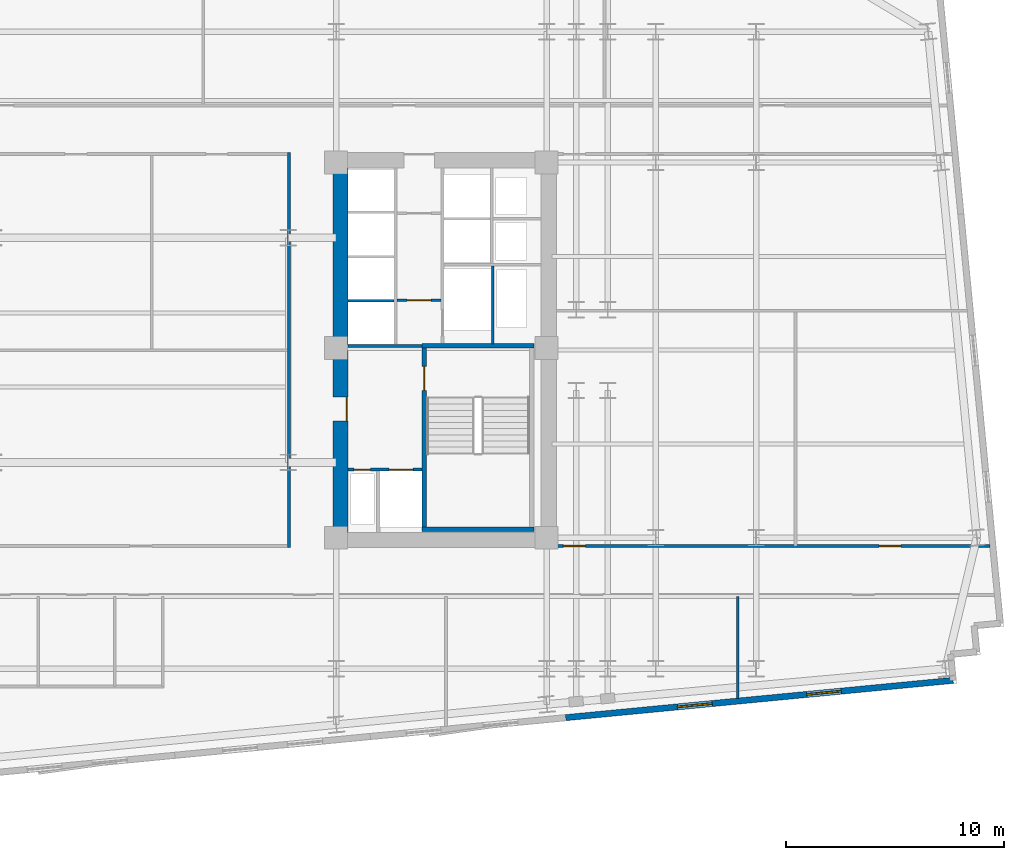
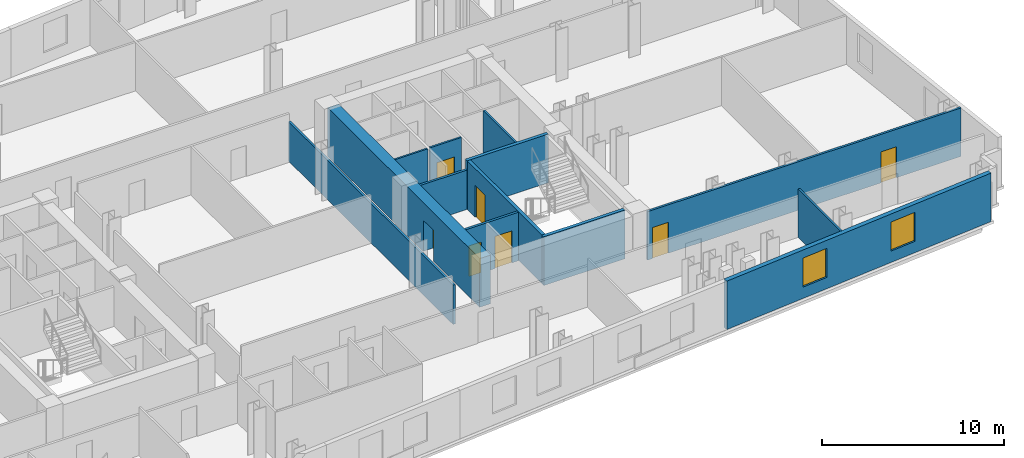
# One storey, part 6 of 10: 13 walls, 7 doors, 2 windows, 9 openings.
"""IFC4 building model written with IfcOpenShell, lengths in metres."""

import ifcopenshell
import ifcopenshell.guid

model = None  # the IFC model being written
_history = None  # IfcOwnerHistory: only IFC2X3 demands one
_inside = {}  # id of a spatial element -> (the spatial element, [elements in it])
_under = {}  # id of a project, library or spatial element -> (it, [spatial elements below it])
_declared = {}  # id of a project -> (the project, [libraries it declares])
_typed = {}  # id of a type object -> (the type object, [elements of that type])
_made_of = {}  # id of a material, layer set ... -> (it, [elements and type objects made of it])


def new_model(schema):
    """Start an empty IFC model of exactly this schema.

    Asked for "IFC4X3", IfcOpenShell would pick the latest addendum, in which some entities
    have other attributes; the version numbers below select the first issue.
    IFC2X3 requires an IfcOwnerHistory on every rooted entity: one is made here for all.
    """
    global model, _history
    if schema == "IFC4X3":
        model = ifcopenshell.file(schema_version=(4, 3, 0, 0))
    else:
        model = ifcopenshell.file(schema=schema)
    _inside.clear()
    _under.clear()
    _declared.clear()
    _typed.clear()
    _made_of.clear()
    _history = None
    if model.schema == "IFC2X3":
        org = make("IfcOrganization", Name="unknown")
        user = make(
            "IfcPersonAndOrganization",
            ThePerson=make("IfcPerson", FamilyName="unknown"),
            TheOrganization=org,
        )
        app = make(
            "IfcApplication",
            ApplicationDeveloper=org,
            Version="unknown",
            ApplicationFullName="unknown",
            ApplicationIdentifier="unknown",
        )
        _history = make(
            "IfcOwnerHistory",
            OwningUser=user,
            OwningApplication=app,
            ChangeAction="ADDED",
            CreationDate=0,
        )
    return model


def make(cls, **values):
    """One entity of the class cls with the attributes given. An attribute that is None is left unset."""
    return model.create_entity(
        cls, **{name: value for name, value in values.items() if value is not None}
    )


def rooted(cls, **values):
    """An entity with a GlobalId (a new one), such as an element, a storey or a relation."""
    return make(cls, GlobalId=ifcopenshell.guid.new(), OwnerHistory=_history, **values)


def si_unit(unit_type, name, prefix=None):
    """IfcSIUnit, for example si_unit("LENGTHUNIT", "METRE", prefix="MILLI")."""
    return make("IfcSIUnit", UnitType=unit_type, Prefix=prefix, Name=name)


def assignment(units):
    """IfcUnitAssignment: the units of a project."""
    return None if units is None else make("IfcUnitAssignment", Units=units)


def point(xyz):
    """IfcCartesianPoint."""
    return None if xyz is None else make("IfcCartesianPoint", Coordinates=xyz)


def direction(xyz):
    """IfcDirection."""
    return None if xyz is None else make("IfcDirection", DirectionRatios=xyz)


def frame(location, z_axis=None, x_axis=None):
    """IfcAxis2Placement3D, a coordinate frame: its origin and axes. An axis left out is left unset."""
    return make(
        "IfcAxis2Placement3D",
        Location=point(location),
        Axis=direction(z_axis),
        RefDirection=direction(x_axis),
    )


def frame_2d(location, x_axis=None):
    """IfcAxis2Placement2D, a coordinate frame in the plane: its origin and x axis."""
    return make(
        "IfcAxis2Placement2D", Location=point(location), RefDirection=direction(x_axis)
    )


def origin():
    """The frame at (0, 0, 0) with its axes left unset."""
    return frame((0.0, 0.0, 0.0))


def place(relative_to, where):
    """IfcLocalPlacement: puts the frame where relative to a parent placement (None: the world)."""
    return make(
        "IfcLocalPlacement", PlacementRelTo=relative_to, RelativePlacement=where
    )


def context(
    kind, dimensions, precision=None, world=None, true_north=None, identifier=None
):
    """IfcGeometricRepresentationContext, for example the 3D "Model" context."""
    return make(
        "IfcGeometricRepresentationContext",
        ContextIdentifier=identifier,
        ContextType=kind,
        CoordinateSpaceDimension=dimensions,
        Precision=precision,
        WorldCoordinateSystem=world,
        TrueNorth=true_north,
    )


def subcontext(parent, identifier, kind, view, scale=None):
    """IfcGeometricRepresentationSubContext, for example "Body" below "Model"."""
    return make(
        "IfcGeometricRepresentationSubContext",
        ContextIdentifier=identifier,
        ContextType=kind,
        ParentContext=parent,
        TargetScale=scale,
        TargetView=view,
    )


def project(units=None, contexts=None):
    """IfcProject with its units and contexts."""
    return rooted(
        "IfcProject",
        Name="project",
        RepresentationContexts=contexts,
        UnitsInContext=assignment(units),
    )


def spatial(cls, under=None, at=None, **own):
    """A site, building, storey or space (cls), placed at a placement, below another one or the project."""
    s = rooted(cls, ObjectPlacement=at, **own)
    if under is not None:
        _under.setdefault(under.id(), (under, []))[1].append(s)
    return s


def profile(cls, at=None, kind="AREA", **sizes):
    """A parametric profile (cls). Its sizes go by their IFC names, for example OverallWidth=200.0."""
    return make(cls, ProfileType=kind, Position=at, **sizes)


def rectangle(**sizes):
    """IfcRectangleProfileDef."""
    return profile("IfcRectangleProfileDef", **sizes)


def extrude(swept, where, along, depth):
    """IfcExtrudedAreaSolid: the profile swept, set in the frame where, extruded along a direction by depth."""
    return make(
        "IfcExtrudedAreaSolid",
        SweptArea=swept,
        Position=where,
        ExtrudedDirection=direction(along),
        Depth=depth,
    )


def shape(context_of_items, identifier, shape_type, items):
    """IfcShapeRepresentation: the items that make up one representation, for example the "Body"."""
    return make(
        "IfcShapeRepresentation",
        ContextOfItems=context_of_items,
        RepresentationIdentifier=identifier,
        RepresentationType=shape_type,
        Items=items,
    )


def material(Name=None, Category=None):
    """IfcMaterial."""
    return make("IfcMaterial", Name=Name, Category=Category)


def layer(
    of_material, thickness, ventilated=None, Name=None, Category=None, Priority=None
):
    """IfcMaterialLayer: one layer of a wall or slab, of a material (None: an air gap)."""
    return make(
        "IfcMaterialLayer",
        Material=of_material,
        LayerThickness=thickness,
        IsVentilated=ventilated,
        Name=Name,
        Category=Category,
        Priority=Priority,
    )


def layer_set(layers, Name=None):
    """IfcMaterialLayerSet."""
    return make("IfcMaterialLayerSet", MaterialLayers=layers, LayerSetName=Name)


def made_of(thing, what):
    """Note that an element or type object is made of a material, layer set ...; save() writes the relation."""
    if what is not None:
        _made_of.setdefault(what.id(), (what, []))[1].append(thing)
    return thing


def type_object(cls, material=None, **own):
    """A type object (cls), such as IfcWallType, which elements share."""
    return made_of(rooted(cls, **own), material)


def element(
    cls,
    number,
    at=None,
    inside=None,
    cuts=None,
    type_object=None,
    material=None,
    context=None,
    identifier="Body",
    shape_type=None,
    held_by="IfcProductDefinitionShape",
    body=None,
    shapes=None,
    **own,
):
    """One element of the class cls, such as IfcWall. Its Tag is "e" and its number.

    at: its placement. inside: the storey or other place that contains it. cuts: it is an
    opening in that element (IfcRelVoidsElement). A single representation is given by context,
    identifier, shape_type and body (its items); several are given by shapes. held_by: the class
    of the entity that holds the representations. save() writes the other relations.
    """
    e = rooted(cls, Tag="e%d" % number, ObjectPlacement=at, **own)
    if body is not None:
        shapes = [shape(context, identifier, shape_type, body)]
    if shapes is not None:
        e.Representation = make(held_by, Representations=shapes)
    if inside is not None:
        _inside.setdefault(inside.id(), (inside, []))[1].append(e)
    if cuts is not None:
        rooted(
            "IfcRelVoidsElement", RelatingBuildingElement=cuts, RelatedOpeningElement=e
        )
    if type_object is not None:
        _typed.setdefault(type_object.id(), (type_object, []))[1].append(e)
    return made_of(e, material)


def fill(opening, filler):
    """IfcRelFillsElement: the door or window that sits in an opening."""
    return rooted(
        "IfcRelFillsElement",
        RelatingOpeningElement=opening,
        RelatedBuildingElement=filler,
    )


def aggregate(whole, parts):
    """IfcRelAggregates: a whole, such as a stair, and the parts it consists of."""
    return rooted("IfcRelAggregates", RelatingObject=whole, RelatedObjects=parts)


def save(model, path):
    """Write the relations noted so far, then the file.

    IfcRelAggregates (storeys below a building ...), IfcRelContainedInSpatialStructure (elements
    in a storey), IfcRelDefinesByType, IfcRelAssociatesMaterial and IfcRelDeclares: one each for
    every whole, place, type object, material and project.
    """
    for whole, parts in _under.values():
        aggregate(whole, parts)
    for where, things in _inside.values():
        rooted(
            "IfcRelContainedInSpatialStructure",
            RelatedElements=things,
            RelatingStructure=where,
        )
    for kind, things in _typed.values():
        rooted("IfcRelDefinesByType", RelatedObjects=things, RelatingType=kind)
    for what, things in _made_of.values():
        rooted("IfcRelAssociatesMaterial", RelatedObjects=things, RelatingMaterial=what)
    for by, libraries in _declared.values():
        rooted("IfcRelDeclares", RelatingContext=by, RelatedDefinitions=libraries)
    model.write(path)


model = new_model("IFC4")

# Units and contexts
model_context = context("Model", 3, precision=1e-05, world=origin(), true_north=direction((0.0, 1.0)))
body_context = subcontext(model_context, "Body", "Model", "MODEL_VIEW")
ifc_project = project(units=[si_unit("LENGTHUNIT", "METRE"), si_unit("AREAUNIT", "SQUARE_METRE"), si_unit("VOLUMEUNIT", "CUBIC_METRE"), si_unit("PLANEANGLEUNIT", "RADIAN"), si_unit("MASSUNIT", "GRAM", prefix="KILO")], contexts=[model_context])

# Site, building, storey
site_placement = place(None, origin())
site = spatial("IfcSite", under=ifc_project, at=site_placement, CompositionType="ELEMENT")
building_placement = place(site_placement, origin())
building = spatial("IfcBuilding", under=site, at=building_placement, Name="Velakula Bourse", CompositionType="ELEMENT")
storey_placement = place(building_placement, frame((0.0, 0.0, 94.89990234375)))
storey = spatial("IfcBuildingStorey", under=building, at=storey_placement, Name="L25", CompositionType="ELEMENT", Elevation=94.89990234375)

# Wall, opening, door
ifc_material_1 = material(Name="Concrete M50 (fck 50 MPa)", Category="concrete")
ifc_layer_1 = layer(ifc_material_1, 0.2099609375, Name="Concrete M50 (fck 50 MPa)", Category="concrete")
ifc_layer_set_1 = layer_set([ifc_layer_1], Name="Concrete M50 (fck 50 MPa)")
wall_type_1 = type_object("IfcWallType", Name="WL-CORE-210", PredefinedType="SHEAR", material=ifc_layer_set_1)
wall_1_placement = place(storey_placement, frame((12.9951171875, -8.10009765625, 0.0), z_axis=(0.0, 0.0, 1.0), x_axis=(0.0, 1.0, 0.0)))
wall_1 = element("IfcWall", 1, at=wall_1_placement, inside=storey, type_object=wall_type_1, Name="L25 Core E Stairwell Shear Wall IN", PredefinedType="SHEAR", context=body_context, shape_type="SweptSolid", body=[
    extrude(rectangle(XDim=8.2001953125, YDim=0.2099609375, at=frame_2d((4.10009765625, 0.0))), origin(), (0.0, 0.0, 1.0), 3.27001953125),
])
opening_1_placement = place(wall_1_placement, frame((6.25, 0.0, 0.0)))
opening_1 = element("IfcOpeningElement", 2, at=opening_1_placement, cuts=wall_1, Name="Opening D-STE1", PredefinedType="OPENING", context=body_context, shape_type="SweptSolid", body=[
    extrude(rectangle(XDim=1.10009765625, YDim=2.14990234375, at=frame_2d((0.550048828125, 1.074951171875))), frame((0.0, 0.114990234375, 0.0), z_axis=(0.0, -1.0, 0.0), x_axis=(1.0, 0.0, 0.0)), (0.0, 0.0, 1.0), 0.22998046875),
])
ifc_material_2 = material(Name="Galvanised painted hollow steel fire door", Category="steel")
door_type_1 = type_object("IfcDoorType", Name="DR-FD120-1100x2150", OperationType="NOTDEFINED", PredefinedType="DOOR", material=ifc_material_2)
door_1_placement = place(opening_1_placement, origin())
door_1 = element("IfcDoor", 3, at=door_1_placement, inside=storey, type_object=door_type_1, Name="L25 Stair ST-E1 Fire Door", OperationType="SINGLE_SWING_RIGHT", OverallHeight=2.14990234375, OverallWidth=1.10009765625, PredefinedType="DOOR", context=body_context, shape_type="SweptSolid", body=[
    extrude(rectangle(XDim=1.10009765625, YDim=2.14990234375, at=frame_2d((0.550048828125, 1.074951171875))), frame((0.0, 0.02490234375, 0.0), z_axis=(0.0, -1.0, 0.0), x_axis=(1.0, 0.0, 0.0)), (0.0, 0.0, 1.0), 0.050048828125),
])
fill(opening_1, door_1)

# Walls
for number, where, z_axis, x_axis, name in (
    (4, (12.889892578125, -8.205078125, 0.0), (0.0, 0.0, 1.0), (1.0, 0.0, 0.0), "L25 Core E Stairwell Shear Wall S"),
    (5, (18.030029296875, 0.205078125, 0.0), (0.0, 0.0, 1.0), (-1.0, 0.0, 0.0), "L25 Core E Stairwell Shear Wall N"),
):
    element("IfcWall", number, at=place(storey_placement, frame(where, z_axis=z_axis, x_axis=x_axis)), inside=storey, type_object=wall_type_1, Name=name, PredefinedType="SHEAR", context=body_context, shape_type="SweptSolid", body=[
        extrude(rectangle(XDim=5.14013671875, YDim=0.2099609375, at=frame_2d((2.570068359375, 0.0))), origin(), (0.0, 0.0, 1.0), 3.27001953125),
    ])

# Wall, opening, door
ifc_material_3 = material(Name="Concrete M70 (fck 70 MPa)", Category="concrete")
ifc_layer_2 = layer(ifc_material_3, 0.699951171875, Name="Concrete M70 (fck 70 MPa)", Category="concrete")
ifc_layer_set_2 = layer_set([ifc_layer_2], Name="Concrete M70 (fck 70 MPa)")
wall_type_2 = type_object("IfcWallType", Name="WL-CORE-700", PredefinedType="SHEAR", material=ifc_layer_set_2)
wall_2_placement = place(storey_placement, frame((9.14990234375, -8.35009765625, 0.0), z_axis=(0.0, 0.0, 1.0), x_axis=(0.0, 1.0, 0.0)))
wall_2 = element("IfcWall", 6, at=wall_2_placement, inside=storey, type_object=wall_type_2, Name="L25 Core E Shear Wall W", PredefinedType="SHEAR", context=body_context, shape_type="SweptSolid", body=[
    extrude(rectangle(XDim=16.7001953125, YDim=0.699951171875, at=frame_2d((8.35009765625, 0.0))), origin(), (0.0, 0.0, 1.0), 3.27001953125),
])
opening_2_placement = place(wall_2_placement, frame((5.10009765625, 0.0, 0.0)))
opening_2 = element("IfcOpeningElement", 7, at=opening_2_placement, cuts=wall_2, Name="Opening D-FLE", PredefinedType="OPENING", context=body_context, shape_type="SweptSolid", body=[
    extrude(rectangle(XDim=1.10009765625, YDim=2.080078125, at=frame_2d((0.550048828125, 1.0400390625))), frame((0.0, 0.35986328125, 0.0), z_axis=(0.0, -1.0, 0.0), x_axis=(1.0, 0.0, 0.0)), (0.0, 0.0, 1.0), 0.719970703125),
])
door_type_2 = type_object("IfcDoorType", Name="DR-FD120-1100", OperationType="NOTDEFINED", PredefinedType="DOOR", material=ifc_material_2)
door_2_placement = place(opening_2_placement, origin())
door_2 = element("IfcDoor", 8, at=door_2_placement, inside=storey, type_object=door_type_2, Name="L25 Firefighting Lobby E Corridor Fire Door", OperationType="SINGLE_SWING_RIGHT", OverallHeight=2.080078125, OverallWidth=1.10009765625, PredefinedType="DOOR", context=body_context, shape_type="SweptSolid", body=[
    extrude(rectangle(XDim=1.10009765625, YDim=2.080078125, at=frame_2d((0.550048828125, 1.0400390625))), frame((0.0, -0.2548828125, 0.0), z_axis=(0.0, -1.0, 0.0), x_axis=(1.0, 0.0, 0.0)), (0.0, 0.0, 1.0), 0.050048828125),
])
fill(opening_2, door_2)

# Wall, openings, windows
ifc_material_4 = material(Name="Red kilned clay facing brick masonry", Category="masonry")
ifc_layer_3 = layer(ifc_material_4, 0.280029296875, Name="Red kilned clay facing brick masonry", Category="masonry")
ifc_layer_set_3 = layer_set([ifc_layer_3], Name="Red kilned clay facing brick masonry")
wall_type_3 = type_object("IfcWallType", Name="WL-EXT-BRK-280", PredefinedType="STANDARD", material=ifc_layer_set_3)
wall_3_placement = place(storey_placement, frame((37.2314453125, -15.138427734375, 0.0), z_axis=(0.0, 0.0, 1.0), x_axis=(-0.995395780835, -0.095850088663, 0.0)))
wall_3 = element("IfcWall", 9, at=wall_3_placement, inside=storey, type_object=wall_type_3, Name="L25 S Brick Spandrel Wall B5", PredefinedType="STANDARD", context=body_context, shape_type="SweptSolid", body=[
    extrude(rectangle(XDim=17.83984375, YDim=0.280029296875, at=frame_2d((8.919921875, 0.0))), origin(), (0.0, 0.0, 1.0), 3.25),
])
opening_3_placement = place(wall_3_placement, frame((5.146728515625, 0.0, 0.760009765625)))
opening_3 = element("IfcOpeningElement", 10, at=opening_3_placement, cuts=wall_3, Name="Opening W-02", PredefinedType="OPENING", context=body_context, shape_type="SweptSolid", body=[
    extrude(rectangle(XDim=1.60009765625, YDim=1.949951171875, at=frame_2d((0.800048828125, 0.97509765625))), frame((0.0, 0.14990234375, 0.0), z_axis=(0.0, -1.0, 0.0), x_axis=(1.0, 0.0, 0.0)), (0.0, 0.0, 1.0), 0.300048828125),
])
opening_4_placement = place(wall_3_placement, frame((11.09326171875, 0.0, 0.760009765625)))
opening_4 = element("IfcOpeningElement", 11, at=opening_4_placement, cuts=wall_3, Name="Opening W-02", PredefinedType="OPENING", context=body_context, shape_type="SweptSolid", body=[
    extrude(rectangle(XDim=1.60009765625, YDim=1.949951171875, at=frame_2d((0.800048828125, 0.97509765625))), frame((0.0, 0.14990234375, 0.0), z_axis=(0.0, -1.0, 0.0), x_axis=(1.0, 0.0, 0.0)), (0.0, 0.0, 1.0), 0.300048828125),
])
ifc_material_5 = material(Name="Double-glazed solar-control Low-E glass", Category="glass")
window_type = type_object("IfcWindowType", Name="WIN-TWR-1600x2100", PartitioningType="SINGLE_PANEL", PredefinedType="WINDOW", material=ifc_material_5)
window_1_placement = place(opening_3_placement, origin())
window_1 = element("IfcWindow", 12, at=window_1_placement, inside=storey, type_object=window_type, Name="L25 Deep-Set Recessed Window 1", OverallHeight=1.949951171875, OverallWidth=1.60009765625, PartitioningType="SINGLE_PANEL", PredefinedType="WINDOW", context=body_context, shape_type="SweptSolid", body=[
    extrude(rectangle(XDim=1.60009765625, YDim=1.949951171875, at=frame_2d((0.800048828125, 0.97509765625))), frame((0.0, 0.030029296875, 0.0), z_axis=(0.0, -1.0, 0.0), x_axis=(1.0, 0.0, 0.0)), (0.0, 0.0, 1.0), 0.06005859375),
])
fill(opening_3, window_1)
window_2_placement = place(opening_4_placement, origin())
window_2 = element("IfcWindow", 13, at=window_2_placement, inside=storey, type_object=window_type, Name="L25 Deep-Set Recessed Window 2", OverallHeight=1.949951171875, OverallWidth=1.60009765625, PartitioningType="SINGLE_PANEL", PredefinedType="WINDOW", context=body_context, shape_type="SweptSolid", body=[
    extrude(rectangle(XDim=1.60009765625, YDim=1.949951171875, at=frame_2d((0.800048828125, 0.97509765625))), frame((0.0, 0.030029296875, 0.0), z_axis=(0.0, -1.0, 0.0), x_axis=(1.0, 0.0, 0.0)), (0.0, 0.0, 1.0), 0.06005859375),
])
fill(opening_4, window_2)

# Wall, opening, door
ifc_material_6 = material(Name="Fire-rated double-layer gypsum drywall partition", Category="gypsum")
ifc_layer_4 = layer(ifc_material_6, 0.1201171875, Name="Fire-rated double-layer gypsum drywall partition", Category="gypsum")
ifc_layer_set_4 = layer_set([ifc_layer_4], Name="Fire-rated double-layer gypsum drywall partition")
wall_type_4 = type_object("IfcWallType", Name="WL-PART-120", PredefinedType="STANDARD", material=ifc_layer_set_4)
wall_4_placement = place(storey_placement, frame((11.75, 2.280029296875, 0.0), z_axis=(0.0, 0.0, 1.0), x_axis=(1.0, 0.0, 0.0)))
wall_4 = element("IfcWall", 14, at=wall_4_placement, inside=storey, type_object=wall_type_4, Name="L25 Interior Partition WL-CRE-L25-LL-K3A", PredefinedType="STANDARD", context=body_context, shape_type="SweptSolid", body=[
    extrude(rectangle(XDim=2.0, YDim=0.1201171875, at=frame_2d((1.0, 0.0))), origin(), (0.0, 0.0, 1.0), 3.25),
])
opening_5_placement = place(wall_4_placement, frame((0.449951171875, 0.0, 0.0)))
opening_5 = element("IfcOpeningElement", 15, at=opening_5_placement, cuts=wall_4, Name="Opening D-LK3", PredefinedType="OPENING", context=body_context, shape_type="SweptSolid", body=[
    extrude(rectangle(XDim=1.10009765625, YDim=2.10009765625, at=frame_2d((0.550048828125, 1.050048828125))), frame((0.0, 0.070068359375, 0.0), z_axis=(0.0, -1.0, 0.0), x_axis=(1.0, 0.0, 0.0)), (0.0, 0.0, 1.0), 0.14013671875),
])
ifc_material_7 = material(Name="Fire-rated hardwood flush architectural door", Category="wood")
door_type_3 = type_object("IfcDoorType", Name="DR-FD60-1100x2100", OperationType="NOTDEFINED", PredefinedType="DOOR", material=ifc_material_7)
door_3_placement = place(opening_5_placement, origin())
door_3 = element("IfcDoor", 16, at=door_3_placement, inside=storey, type_object=door_type_3, Name="L25 Core E Lift Lobby Vestibule Door A", OperationType="SINGLE_SWING_RIGHT", OverallHeight=2.10009765625, OverallWidth=1.10009765625, PredefinedType="DOOR", context=body_context, shape_type="SweptSolid", body=[
    extrude(rectangle(XDim=1.10009765625, YDim=2.10009765625, at=frame_2d((0.550048828125, 1.050048828125))), frame((0.0, 0.02490234375, 0.0), z_axis=(0.0, -1.0, 0.0), x_axis=(1.0, 0.0, 0.0)), (0.0, 0.0, 1.0), 0.050048828125),
])
fill(opening_5, door_3)

# Walls
wall_5_placement = place(storey_placement, frame((9.5, 2.2548828125, 0.0), z_axis=(0.0, 0.0, 1.0), x_axis=(1.0, 0.0, 0.0)))
element("IfcWall", 17, at=wall_5_placement, inside=storey, type_object=wall_type_4, Name="L25 Interior Partition WL-CRE-L25-BDIV-0", PredefinedType="STANDARD", context=body_context, shape_type="SweptSolid", body=[
    extrude(rectangle(XDim=2.10009765625, YDim=0.110107421875, at=frame_2d((1.050048828125, 0.0))), origin(), (0.0, 0.0, 1.0), 3.25),
])
wall_6_placement = place(storey_placement, frame((16.125, 0.27001953125, 0.0), z_axis=(0.0, 0.0, 1.0), x_axis=(0.0, 1.0, 0.0)))
element("IfcWall", 18, at=wall_6_placement, inside=storey, type_object=wall_type_4, Name="L25 Interior Partition WL-CRE-L25-SVL-E", PredefinedType="STANDARD", context=body_context, shape_type="SweptSolid", body=[
    extrude(rectangle(XDim=3.590087890625, YDim=0.1201171875, at=frame_2d((1.794921875, 0.0))), origin(), (0.0, 0.0, 1.0), 3.25),
])
wall_7_placement = place(storey_placement, frame((27.35400390625, -15.968994140625, 0.0), z_axis=(0.0, 0.0, 1.0), x_axis=(0.0, 1.0, 0.0)))
element("IfcWall", 19, at=wall_7_placement, inside=storey, type_object=wall_type_4, Name="L25 Interior Partition WL-INT-L25-SR-D8", PredefinedType="STANDARD", context=body_context, shape_type="SweptSolid", body=[
    extrude(rectangle(XDim=4.678955078125, YDim=0.1201171875, at=frame_2d((2.33935546875, 0.0))), origin(), (0.0, 0.0, 1.0), 3.25),
])

# Wall, openings, doors
ifc_layer_5 = layer(ifc_material_6, 0.139892578125, Name="Fire-rated double-layer gypsum drywall partition", Category="gypsum")
ifc_layer_set_5 = layer_set([ifc_layer_5], Name="Fire-rated double-layer gypsum drywall partition")
wall_type_5 = type_object("IfcWallType", Name="WL-PART-140", PredefinedType="STANDARD", material=ifc_layer_set_5)
wall_8_placement = place(storey_placement, frame((19.050048828125, -8.97998046875, 0.0), z_axis=(0.0, 0.0, 1.0), x_axis=(1.0, 0.0, 0.0)))
wall_8 = element("IfcWall", 20, at=wall_8_placement, inside=storey, type_object=wall_type_5, Name="L25 Interior Partition WL-INT-L25-E-SC", PredefinedType="STANDARD", context=body_context, shape_type="SweptSolid", body=[
    extrude(rectangle(XDim=19.87890625, YDim=0.139892578125, at=frame_2d((9.939453125, 0.0))), origin(), (0.0, 0.0, 1.0), 3.25),
])
opening_6_placement = place(wall_8_placement, frame((0.320068359375, 0.0, 0.0)))
opening_6 = element("IfcOpeningElement", 21, at=opening_6_placement, cuts=wall_8, Name="Opening D-OF1", PredefinedType="OPENING", context=body_context, shape_type="SweptSolid", body=[
    extrude(rectangle(XDim=1.0, YDim=2.080078125, at=frame_2d((0.5, 1.0400390625))), frame((0.0, 0.079833984375, 0.0), z_axis=(0.0, -1.0, 0.0), x_axis=(1.0, 0.0, 0.0)), (0.0, 0.0, 1.0), 0.159912109375),
])
opening_7_placement = place(wall_8_placement, frame((14.7890625, 0.0, 0.0)))
opening_7 = element("IfcOpeningElement", 22, at=opening_7_placement, cuts=wall_8, Name="Opening D-OF1", PredefinedType="OPENING", context=body_context, shape_type="SweptSolid", body=[
    extrude(rectangle(XDim=1.0, YDim=2.080078125, at=frame_2d((0.5, 1.0400390625))), frame((0.0, 0.079833984375, 0.0), z_axis=(0.0, -1.0, 0.0), x_axis=(1.0, 0.0, 0.0)), (0.0, 0.0, 1.0), 0.159912109375),
])
door_type_4 = type_object("IfcDoorType", Name="DR-OFF-1000", OperationType="NOTDEFINED", PredefinedType="DOOR", material=ifc_material_7)
door_4_placement = place(opening_6_placement, origin())
door_4 = element("IfcDoor", 23, at=door_4_placement, inside=storey, type_object=door_type_4, Name="L25 Green-Bond Carbon Exchange Workspace Door", OperationType="SINGLE_SWING_RIGHT", OverallHeight=2.080078125, OverallWidth=1.0, PredefinedType="DOOR", context=body_context, shape_type="SweptSolid", body=[
    extrude(rectangle(XDim=1.0, YDim=2.080078125, at=frame_2d((0.5, 1.0400390625))), frame((0.0, 0.02490234375, 0.0), z_axis=(0.0, -1.0, 0.0), x_axis=(1.0, 0.0, 0.0)), (0.0, 0.0, 1.0), 0.050048828125),
])
fill(opening_6, door_4)
door_5_placement = place(opening_7_placement, origin())
door_5 = element("IfcDoor", 24, at=door_5_placement, inside=storey, type_object=door_type_4, Name="L25 Compliance Review Office Door", OperationType="SINGLE_SWING_LEFT", OverallHeight=2.080078125, OverallWidth=1.0, PredefinedType="DOOR", context=body_context, shape_type="SweptSolid", body=[
    extrude(rectangle(XDim=1.0, YDim=2.080078125, at=frame_2d((0.5, 1.0400390625))), frame((0.0, 0.02490234375, 0.0), z_axis=(0.0, -1.0, 0.0), x_axis=(1.0, 0.0, 0.0)), (0.0, 0.0, 1.0), 0.050048828125),
])
fill(opening_7, door_5)

# Wall
wall_9_placement = place(storey_placement, frame((6.780029296875, -9.050048828125, 0.0), z_axis=(0.0, 0.0, 1.0), x_axis=(0.0, 1.0, 0.0)))
element("IfcWall", 25, at=wall_9_placement, inside=storey, type_object=wall_type_5, Name="L25 Interior Partition WL-INT-L25-MID-E", PredefinedType="STANDARD", context=body_context, shape_type="SweptSolid", body=[
    extrude(rectangle(XDim=18.10009765625, YDim=0.139892578125, at=frame_2d((9.050048828125, 0.0))), origin(), (0.0, 0.0, 1.0), 2.64501953125),
])

# Wall, openings, doors
ifc_material_8 = material(Name="Autoclaved aerated concrete blockwork masonry", Category="masonry")
ifc_layer_6 = layer(ifc_material_8, 0.14990234375, Name="Autoclaved aerated concrete blockwork masonry", Category="masonry")
ifc_layer_set_6 = layer_set([ifc_layer_6], Name="Autoclaved aerated concrete blockwork masonry")
wall_type_6 = type_object("IfcWallType", Name="WL-SHAFT-150", PredefinedType="STANDARD", material=ifc_layer_set_6)
wall_10_placement = place(storey_placement, frame((9.5, -5.47509765625, 0.0), z_axis=(0.0, 0.0, 1.0), x_axis=(1.0, 0.0, 0.0)))
wall_10 = element("IfcWall", 26, at=wall_10_placement, inside=storey, type_object=wall_type_6, Name="L25 Interior Partition WL-CRE-L25-FFL-N", PredefinedType="STANDARD", context=body_context, shape_type="SweptSolid", body=[
    extrude(rectangle(XDim=3.39501953125, YDim=0.14990234375, at=frame_2d((1.697509765625, 0.0))), origin(), (0.0, 0.0, 1.0), 3.25),
])
opening_8_placement = place(wall_10_placement, frame((1.875, 0.0, 0.0)))
opening_8 = element("IfcOpeningElement", 27, at=opening_8_placement, cuts=wall_10, Name="Opening LD-FFL-2", PredefinedType="OPENING", context=body_context, shape_type="SweptSolid", body=[
    extrude(rectangle(XDim=1.10009765625, YDim=2.14990234375, at=frame_2d((0.550048828125, 1.074951171875))), frame((0.0, 0.0849609375, 0.0), z_axis=(0.0, -1.0, 0.0), x_axis=(1.0, 0.0, 0.0)), (0.0, 0.0, 1.0), 0.169921875),
])
opening_9_placement = place(wall_10_placement, frame((0.27490234375, 0.0, 0.0)))
opening_9 = element("IfcOpeningElement", 28, at=opening_9_placement, cuts=wall_10, Name="Opening D-RS1", PredefinedType="OPENING", context=body_context, shape_type="SweptSolid", body=[
    extrude(rectangle(XDim=0.75, YDim=2.050048828125, at=frame_2d((0.375, 1.02490234375))), frame((0.0, 0.0849609375, 0.0), z_axis=(0.0, -1.0, 0.0), x_axis=(1.0, 0.0, 0.0)), (0.0, 0.0, 1.0), 0.169921875),
])
door_type_5 = type_object("IfcDoorType", Name="DR-RISER-800", OperationType="NOTDEFINED", PredefinedType="DOOR", material=ifc_material_2)
door_6_placement = place(opening_9_placement, origin())
door_6 = element("IfcDoor", 29, at=door_6_placement, inside=storey, type_object=door_type_5, Name="L25 Fire Riser Access Door", OperationType="SINGLE_SWING_LEFT", OverallHeight=2.050048828125, OverallWidth=0.75, PredefinedType="DOOR", context=body_context, shape_type="SweptSolid", body=[
    extrude(rectangle(XDim=0.75, YDim=2.050048828125, at=frame_2d((0.375, 1.02490234375))), frame((0.0, 0.02490234375, 0.0), z_axis=(0.0, -1.0, 0.0), x_axis=(1.0, 0.0, 0.0)), (0.0, 0.0, 1.0), 0.050048828125),
])
fill(opening_9, door_6)
ifc_material_9 = material(Name="Brushed grade 316 stainless steel", Category="steel")
door_type_6 = type_object("IfcDoorType", Name="DR-SLIDE-FFL-1100", OperationType="DOUBLE_DOOR_SLIDING", PredefinedType="DOOR", material=ifc_material_9)
door_7_placement = place(opening_8_placement, origin())
door_7 = element("IfcDoor", 30, at=door_7_placement, inside=storey, type_object=door_type_6, Name="L25 Firefighting Lift FFL-2 Sliding Landing Door", OperationType="DOUBLE_DOOR_SLIDING", OverallHeight=2.14990234375, OverallWidth=1.10009765625, PredefinedType="DOOR", context=body_context, shape_type="SweptSolid", body=[
    extrude(rectangle(XDim=1.10009765625, YDim=2.14990234375, at=frame_2d((0.550048828125, 1.074951171875))), frame((0.0, 0.02490234375, 0.0), z_axis=(0.0, -1.0, 0.0), x_axis=(1.0, 0.0, 0.0)), (0.0, 0.0, 1.0), 0.050048828125),
])
fill(opening_8, door_7)

# Wall
wall_11_placement = place(storey_placement, frame((9.5, 0.18994140625, 0.0), z_axis=(0.0, 0.0, 1.0), x_axis=(1.0, 0.0, 0.0)))
element("IfcWall", 31, at=wall_11_placement, inside=storey, type_object=wall_type_6, Name="L25 Interior Partition WL-CRE-L25-FF-TOP", PredefinedType="STANDARD", context=body_context, shape_type="SweptSolid", body=[
    extrude(rectangle(XDim=3.389892578125, YDim=0.14990234375, at=frame_2d((1.69482421875, 0.0))), origin(), (0.0, 0.0, 1.0), 2.64501953125),
])

save(model, "model.ifc")
